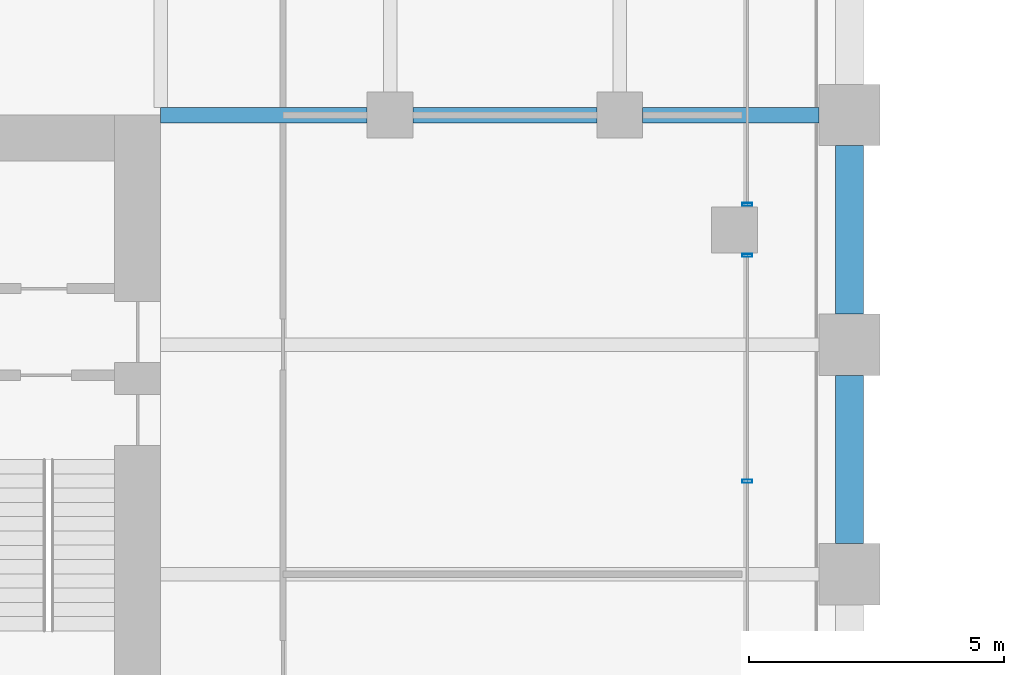
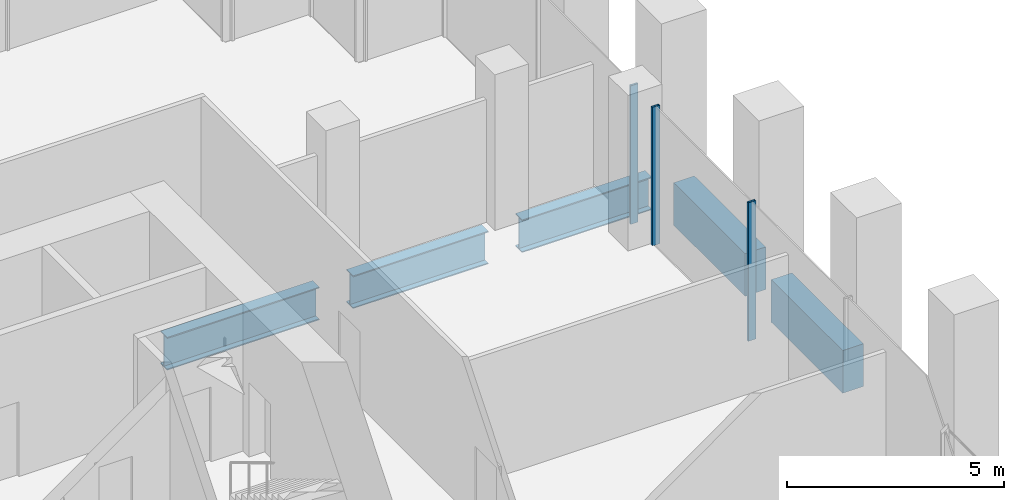
# One storey, part 12 of 36: 5 beams, 3 members, 2 elements without a shape of their own.
"""IFC4 building model written with IfcOpenShell, lengths in metres."""

from ifc_helpers import new_model, si_unit, direction, frame, origin, origin_2d, place, context, subcontext, project, spatial, rectangle, hollow_rectangle, i_section, extrude, material, material_profile, profile_set, type_object, element, aggregate, save


model = new_model("IFC4")

# Units and contexts
model_context = context("Model", 3, precision=1e-05, world=origin(), true_north=direction((0.0, 1.0)))
body_context = subcontext(model_context, "Body", "Model", "MODEL_VIEW")
ifc_project = project(units=[si_unit("LENGTHUNIT", "METRE"), si_unit("AREAUNIT", "SQUARE_METRE"), si_unit("VOLUMEUNIT", "CUBIC_METRE"), si_unit("PLANEANGLEUNIT", "RADIAN"), si_unit("MASSUNIT", "GRAM", prefix="KILO")], contexts=[model_context])

# Site, building, storey
site_placement = place(None, origin())
site = spatial("IfcSite", under=ifc_project, at=site_placement, CompositionType="ELEMENT")
building_placement = place(site_placement, origin())
building = spatial("IfcBuilding", under=site, at=building_placement, Name="Altepetl Exchange Towers", CompositionType="ELEMENT")
storey_placement = place(building_placement, frame((0.0, 0.0, 43.0)))
storey = spatial("IfcBuildingStorey", under=building, at=storey_placement, Name="L09", CompositionType="ELEMENT", Elevation=43.0)

# Beams
ifc_material_1 = material(Name="Steel S355", Category="steel")
ifc_material_profile_1 = material_profile(ifc_material_1, i_section(OverallWidth=0.306884765625, OverallDepth=0.923095703125, WebThickness=0.018310546875, FlangeThickness=0.030029296875, at=origin_2d()), Name="W36X182")
ifc_profile_set_1 = profile_set([ifc_material_profile_1], Name="Steel S355")
beam_type_1 = type_object("IfcBeamType", Name="Girder W36X182", PredefinedType="BEAM", material=ifc_profile_set_1)
beam_1_placement = place(storey_placement, frame((58.5, 58.5, -0.636474609375), z_axis=(1.0, 0.0, 0.0), x_axis=(0.0, 1.0, 0.0)))
element("IfcBeam", 1, at=beam_1_placement, inside=storey, type_object=beam_type_1, Name="gd:A:L09:000", PredefinedType="BEAM", context=body_context, shape_type="SweptSolid", body=[
    extrude(i_section(OverallWidth=0.306884765625, OverallDepth=0.923095703125, WebThickness=0.018310546875, FlangeThickness=0.030029296875, at=origin_2d()), origin(), (0.0, 0.0, 1.0), 4.050048828125),
])
beam_2_placement = place(storey_placement, frame((63.449951171875, 58.5, -0.636474609375), z_axis=(1.0, 0.0, 0.0), x_axis=(0.0, 1.0, 0.0)))
element("IfcBeam", 2, at=beam_2_placement, inside=storey, type_object=beam_type_1, Name="gd:A:L09:001", PredefinedType="BEAM", context=body_context, shape_type="SweptSolid", body=[
    extrude(i_section(OverallWidth=0.306884765625, OverallDepth=0.923095703125, WebThickness=0.018310546875, FlangeThickness=0.030029296875, at=origin_2d()), origin(), (0.0, 0.0, 1.0), 3.60009765625),
])
beam_3_placement = place(storey_placement, frame((67.949951171875, 58.5, -0.636474609375), z_axis=(1.0, 0.0, 0.0), x_axis=(0.0, 1.0, 0.0)))
element("IfcBeam", 3, at=beam_3_placement, inside=storey, type_object=beam_type_1, Name="gd:A:L09:002", PredefinedType="BEAM", context=body_context, shape_type="SweptSolid", body=[
    extrude(i_section(OverallWidth=0.306884765625, OverallDepth=0.923095703125, WebThickness=0.018310546875, FlangeThickness=0.030029296875, at=origin_2d()), origin(), (0.0, 0.0, 1.0), 3.449951171875),
])

# Curtain wall, members
ifc_material_2 = material(Name="Aluminium 6063-T6 glazing", Category="aluminium")
curtain_wall_type = type_object("IfcCurtainWallType", Name="Trading floor glazing system", PredefinedType="NOTDEFINED", material=ifc_material_2)
curtain_wall_1_placement = place(storey_placement, origin())
curtain_wall_1 = element("IfcCurtainWall", 4, at=curtain_wall_1_placement, inside=storey, type_object=curtain_wall_type, Name="CW2 run", PredefinedType="NOTDEFINED")
ifc_material_3 = material(Name="Aluminium 6063-T6", Category="aluminium")
ifc_material_profile_2 = material_profile(ifc_material_3, hollow_rectangle(XDim=0.06005859375, YDim=0.199951171875, WallThickness=0.0029296875, at=origin_2d()), Name="Mullion 60x200 aluminium")
ifc_profile_set_2 = profile_set([ifc_material_profile_2], Name="Aluminium 6063-T6")
member_type = type_object("IfcMemberType", Name="Mullion 60x200 aluminium", PredefinedType="MULLION", material=ifc_profile_set_2)
member_1_placement = place(storey_placement, frame((70.0, 51.323974609375, 0.0), z_axis=(0.0, 0.0, 1.0), x_axis=(0.0, 1.0, 0.0)))
member_1 = element("IfcMember", 5, at=member_1_placement, type_object=member_type, Name="MU2 mullion", PredefinedType="MULLION", context=body_context, shape_type="SweptSolid", body=[
    extrude(hollow_rectangle(XDim=0.06005859375, YDim=0.199951171875, WallThickness=0.0029296875, at=origin_2d()), origin(), (0.0, 0.0, 1.0), 3.89990234375),
])
member_2_placement = place(storey_placement, frame((70.0, 55.75, 0.0), z_axis=(0.0, 0.0, 1.0), x_axis=(0.0, 1.0, 0.0)))
member_2 = element("IfcMember", 6, at=member_2_placement, type_object=member_type, Name="MU2 mullion", PredefinedType="MULLION", context=body_context, shape_type="SweptSolid", body=[
    extrude(hollow_rectangle(XDim=0.06005859375, YDim=0.199951171875, WallThickness=0.0029296875, at=origin_2d()), origin(), (0.0, 0.0, 1.0), 3.89990234375),
])
aggregate(curtain_wall_1, [member_1, member_2])

# Curtain wall, member
curtain_wall_2_placement = place(storey_placement, origin())
curtain_wall_2 = element("IfcCurtainWall", 7, at=curtain_wall_2_placement, inside=storey, type_object=curtain_wall_type, Name="CW2 run", PredefinedType="NOTDEFINED")
member_3_placement = place(storey_placement, frame((70.0, 56.75, 0.0), z_axis=(0.0, 0.0, 1.0), x_axis=(0.0, 1.0, 0.0)))
member_3 = element("IfcMember", 8, at=member_3_placement, type_object=member_type, Name="MU2 mullion", PredefinedType="MULLION", context=body_context, shape_type="SweptSolid", body=[
    extrude(hollow_rectangle(XDim=0.06005859375, YDim=0.199951171875, WallThickness=0.0029296875, at=origin_2d()), origin(), (0.0, 0.0, 1.0), 3.89990234375),
])
aggregate(curtain_wall_2, [member_3])

# Beams
ifc_material_4 = material(Name="Concrete C50/60 precast with cantera amarilla facing", Category="concrete")
ifc_material_profile_3 = material_profile(ifc_material_4, rectangle(XDim=0.550048828125, YDim=1.199951171875, at=origin_2d()), Name="550 x 1200")
ifc_profile_set_3 = profile_set([ifc_material_profile_3], Name="Concrete C50/60 precast with cantera amarilla facing")
beam_type_2 = type_object("IfcBeamType", Name="Spandrel beam 550x1200 cantera amarilla", PredefinedType="SPANDREL", material=ifc_profile_set_3)
for number, where, z_axis, x_axis, name in (
    (9, (72.0, 50.10009765625, -0.77490234375), (0.0, 1.0, 0.0), (-1.0, 0.0, 0.0), "sp:A:L09:016"),
    (10, (72.0, 54.60009765625, -0.77490234375), (0.0, 1.0, 0.0), (-1.0, 0.0, 0.0), "sp:A:L09:017"),
):
    element("IfcBeam", number, at=place(storey_placement, frame(where, z_axis=z_axis, x_axis=x_axis)), inside=storey, type_object=beam_type_2, Name=name, PredefinedType="SPANDREL", context=body_context, shape_type="SweptSolid", body=[
        extrude(rectangle(XDim=0.550048828125, YDim=1.199951171875, at=origin_2d()), origin(), (0.0, 0.0, 1.0), 3.2998046875),
    ])

save(model, "model.ifc")
